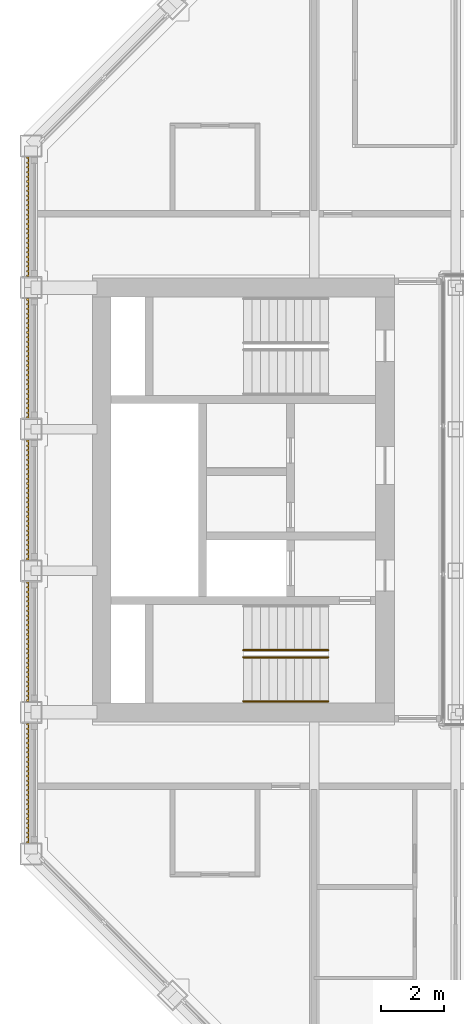
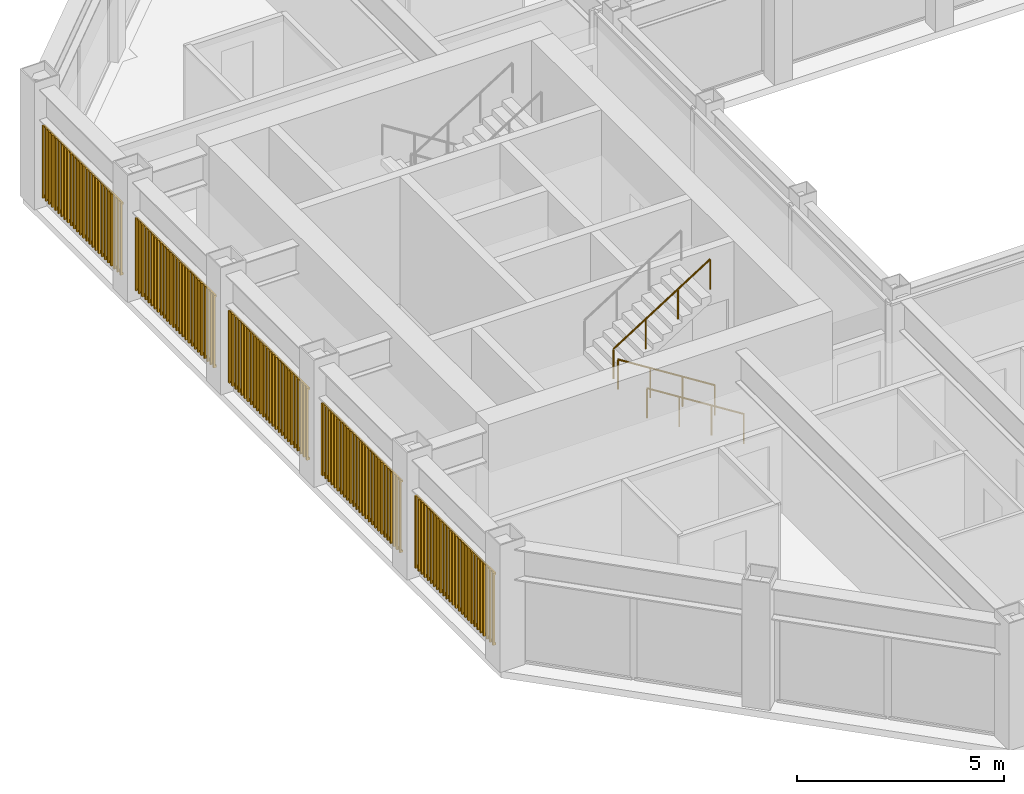
# One storey, part 14 of 17: 3 railings, 1 shading device.
"""IFC4 building model written with IfcOpenShell, lengths in metres."""

from ifc_helpers import new_model, si_unit, direction, frame, origin, origin_2d, place, context, subcontext, project, spatial, rectangle, circle, extrude, material, type_object, element, save


model = new_model("IFC4")

# Units and contexts
model_context = context("Model", 3, precision=1e-05, world=origin(), true_north=direction((0.0, 1.0)))
body_context = subcontext(model_context, "Body", "Model", "MODEL_VIEW")
ifc_project = project(units=[si_unit("LENGTHUNIT", "METRE"), si_unit("AREAUNIT", "SQUARE_METRE"), si_unit("VOLUMEUNIT", "CUBIC_METRE"), si_unit("PLANEANGLEUNIT", "RADIAN"), si_unit("MASSUNIT", "GRAM", prefix="KILO")], contexts=[model_context])

# Site, building, storey
site_placement = place(None, origin())
site = spatial("IfcSite", under=ifc_project, at=site_placement, CompositionType="ELEMENT")
building_placement = place(site_placement, origin())
building = spatial("IfcBuilding", under=site, at=building_placement, Name="Msasa Ring Tower", CompositionType="ELEMENT")
storey_placement = place(building_placement, frame((0.0, 0.0, 253.300048828125)))
storey = spatial("IfcBuildingStorey", under=building, at=storey_placement, Name="L66", CompositionType="ELEMENT", Elevation=253.300048828125)

# Shading device
ifc_material_1 = material(Name="Extruded terracotta on aluminium carriers", Category="masonry")
shading_device_type = type_object("IfcShadingDeviceType", Name="BS1 TERRACOTTA BAGUETTE SCREEN 50x50 AT 150", PredefinedType="USERDEFINED", material=ifc_material_1)
shading_device_placement = place(storey_placement, origin())
element("IfcShadingDevice", 1, at=shading_device_placement, inside=storey, type_object=shading_device_type, Name="Terracotta baguette screen W L66", ObjectType="BAGUETTE", PredefinedType="USERDEFINED", context=body_context, shape_type="SweptSolid", body=[
    extrude(rectangle(XDim=0.06005859375, YDim=0.0400390625, at=origin_2d()), frame((-20.330078125, -10.89990234375, 0.329833984375), z_axis=(0.0, 1.0, 0.0), x_axis=(0.0, 0.0, 1.0)), (0.0, 0.0, 1.0), 3.800048828125),
    extrude(rectangle(XDim=0.06005859375, YDim=0.0400390625, at=origin_2d()), frame((-20.330078125, -10.89990234375, 2.39892578125), z_axis=(0.0, 1.0, 0.0), x_axis=(0.0, 0.0, 1.0)), (0.0, 0.0, 1.0), 3.800048828125),
    extrude(rectangle(XDim=0.050048828125, YDim=0.050048828125, at=origin_2d()), frame((-20.3701171875, -10.875, 0.300048828125), z_axis=(0.0, 0.0, 1.0), x_axis=(0.0, 1.0, 0.0)), (0.0, 0.0, 1.0), 2.12890625),
    extrude(rectangle(XDim=0.050048828125, YDim=0.050048828125, at=origin_2d()), frame((-20.3701171875, -10.72509765625, 0.300048828125), z_axis=(0.0, 0.0, 1.0), x_axis=(0.0, 1.0, 0.0)), (0.0, 0.0, 1.0), 2.12890625),
    extrude(rectangle(XDim=0.050048828125, YDim=0.050048828125, at=origin_2d()), frame((-20.3701171875, -10.574951171875, 0.300048828125), z_axis=(0.0, 0.0, 1.0), x_axis=(0.0, 1.0, 0.0)), (0.0, 0.0, 1.0), 2.12890625),
    extrude(rectangle(XDim=0.050048828125, YDim=0.050048828125, at=origin_2d()), frame((-20.3701171875, -10.425048828125, 0.300048828125), z_axis=(0.0, 0.0, 1.0), x_axis=(0.0, 1.0, 0.0)), (0.0, 0.0, 1.0), 2.12890625),
    extrude(rectangle(XDim=0.050048828125, YDim=0.050048828125, at=origin_2d()), frame((-20.3701171875, -10.27490234375, 0.300048828125), z_axis=(0.0, 0.0, 1.0), x_axis=(0.0, 1.0, 0.0)), (0.0, 0.0, 1.0), 2.12890625),
    extrude(rectangle(XDim=0.050048828125, YDim=0.050048828125, at=origin_2d()), frame((-20.3701171875, -10.125, 0.300048828125), z_axis=(0.0, 0.0, 1.0), x_axis=(0.0, 1.0, 0.0)), (0.0, 0.0, 1.0), 2.12890625),
    extrude(rectangle(XDim=0.050048828125, YDim=0.050048828125, at=origin_2d()), frame((-20.3701171875, -9.97509765625, 0.300048828125), z_axis=(0.0, 0.0, 1.0), x_axis=(0.0, 1.0, 0.0)), (0.0, 0.0, 1.0), 2.12890625),
    extrude(rectangle(XDim=0.050048828125, YDim=0.050048828125, at=origin_2d()), frame((-20.3701171875, -9.824951171875, 0.300048828125), z_axis=(0.0, 0.0, 1.0), x_axis=(0.0, 1.0, 0.0)), (0.0, 0.0, 1.0), 2.12890625),
    extrude(rectangle(XDim=0.050048828125, YDim=0.050048828125, at=origin_2d()), frame((-20.3701171875, -9.675048828125, 0.300048828125), z_axis=(0.0, 0.0, 1.0), x_axis=(0.0, 1.0, 0.0)), (0.0, 0.0, 1.0), 2.12890625),
    extrude(rectangle(XDim=0.050048828125, YDim=0.050048828125, at=origin_2d()), frame((-20.3701171875, -9.52490234375, 0.300048828125), z_axis=(0.0, 0.0, 1.0), x_axis=(0.0, 1.0, 0.0)), (0.0, 0.0, 1.0), 2.12890625),
    extrude(rectangle(XDim=0.050048828125, YDim=0.050048828125, at=origin_2d()), frame((-20.3701171875, -9.375, 0.300048828125), z_axis=(0.0, 0.0, 1.0), x_axis=(0.0, 1.0, 0.0)), (0.0, 0.0, 1.0), 2.12890625),
    extrude(rectangle(XDim=0.050048828125, YDim=0.050048828125, at=origin_2d()), frame((-20.3701171875, -9.22509765625, 0.300048828125), z_axis=(0.0, 0.0, 1.0), x_axis=(0.0, 1.0, 0.0)), (0.0, 0.0, 1.0), 2.12890625),
    extrude(rectangle(XDim=0.050048828125, YDim=0.050048828125, at=origin_2d()), frame((-20.3701171875, -9.074951171875, 0.300048828125), z_axis=(0.0, 0.0, 1.0), x_axis=(0.0, 1.0, 0.0)), (0.0, 0.0, 1.0), 2.12890625),
    extrude(rectangle(XDim=0.050048828125, YDim=0.050048828125, at=origin_2d()), frame((-20.3701171875, -8.925048828125, 0.300048828125), z_axis=(0.0, 0.0, 1.0), x_axis=(0.0, 1.0, 0.0)), (0.0, 0.0, 1.0), 2.12890625),
    extrude(rectangle(XDim=0.050048828125, YDim=0.050048828125, at=origin_2d()), frame((-20.3701171875, -8.77490234375, 0.300048828125), z_axis=(0.0, 0.0, 1.0), x_axis=(0.0, 1.0, 0.0)), (0.0, 0.0, 1.0), 2.12890625),
    extrude(rectangle(XDim=0.050048828125, YDim=0.050048828125, at=origin_2d()), frame((-20.3701171875, -8.625, 0.300048828125), z_axis=(0.0, 0.0, 1.0), x_axis=(0.0, 1.0, 0.0)), (0.0, 0.0, 1.0), 2.12890625),
    extrude(rectangle(XDim=0.050048828125, YDim=0.050048828125, at=origin_2d()), frame((-20.3701171875, -8.47509765625, 0.300048828125), z_axis=(0.0, 0.0, 1.0), x_axis=(0.0, 1.0, 0.0)), (0.0, 0.0, 1.0), 2.12890625),
    extrude(rectangle(XDim=0.050048828125, YDim=0.050048828125, at=origin_2d()), frame((-20.3701171875, -8.324951171875, 0.300048828125), z_axis=(0.0, 0.0, 1.0), x_axis=(0.0, 1.0, 0.0)), (0.0, 0.0, 1.0), 2.12890625),
    extrude(rectangle(XDim=0.050048828125, YDim=0.050048828125, at=origin_2d()), frame((-20.3701171875, -8.175048828125, 0.300048828125), z_axis=(0.0, 0.0, 1.0), x_axis=(0.0, 1.0, 0.0)), (0.0, 0.0, 1.0), 2.12890625),
    extrude(rectangle(XDim=0.050048828125, YDim=0.050048828125, at=origin_2d()), frame((-20.3701171875, -8.02490234375, 0.300048828125), z_axis=(0.0, 0.0, 1.0), x_axis=(0.0, 1.0, 0.0)), (0.0, 0.0, 1.0), 2.12890625),
    extrude(rectangle(XDim=0.050048828125, YDim=0.050048828125, at=origin_2d()), frame((-20.3701171875, -7.875, 0.300048828125), z_axis=(0.0, 0.0, 1.0), x_axis=(0.0, 1.0, 0.0)), (0.0, 0.0, 1.0), 2.12890625),
    extrude(rectangle(XDim=0.050048828125, YDim=0.050048828125, at=origin_2d()), frame((-20.3701171875, -7.72509765625, 0.300048828125), z_axis=(0.0, 0.0, 1.0), x_axis=(0.0, 1.0, 0.0)), (0.0, 0.0, 1.0), 2.12890625),
    extrude(rectangle(XDim=0.050048828125, YDim=0.050048828125, at=origin_2d()), frame((-20.3701171875, -7.574951171875, 0.300048828125), z_axis=(0.0, 0.0, 1.0), x_axis=(0.0, 1.0, 0.0)), (0.0, 0.0, 1.0), 2.12890625),
    extrude(rectangle(XDim=0.050048828125, YDim=0.050048828125, at=origin_2d()), frame((-20.3701171875, -7.425048828125, 0.300048828125), z_axis=(0.0, 0.0, 1.0), x_axis=(0.0, 1.0, 0.0)), (0.0, 0.0, 1.0), 2.12890625),
    extrude(rectangle(XDim=0.050048828125, YDim=0.050048828125, at=origin_2d()), frame((-20.3701171875, -7.27490234375, 0.300048828125), z_axis=(0.0, 0.0, 1.0), x_axis=(0.0, 1.0, 0.0)), (0.0, 0.0, 1.0), 2.12890625),
    extrude(rectangle(XDim=0.050048828125, YDim=0.050048828125, at=origin_2d()), frame((-20.3701171875, -7.125, 0.300048828125), z_axis=(0.0, 0.0, 1.0), x_axis=(0.0, 1.0, 0.0)), (0.0, 0.0, 1.0), 2.12890625),
    extrude(rectangle(XDim=0.06005859375, YDim=0.0400390625, at=origin_2d()), frame((-20.330078125, -6.39990234375, 0.329833984375), z_axis=(0.0, 1.0, 0.0), x_axis=(0.0, 0.0, 1.0)), (0.0, 0.0, 1.0), 3.800048828125),
    extrude(rectangle(XDim=0.06005859375, YDim=0.0400390625, at=origin_2d()), frame((-20.330078125, -6.39990234375, 2.39892578125), z_axis=(0.0, 1.0, 0.0), x_axis=(0.0, 0.0, 1.0)), (0.0, 0.0, 1.0), 3.800048828125),
    extrude(rectangle(XDim=0.050048828125, YDim=0.050048828125, at=origin_2d()), frame((-20.3701171875, -6.375, 0.300048828125), z_axis=(0.0, 0.0, 1.0), x_axis=(0.0, 1.0, 0.0)), (0.0, 0.0, 1.0), 2.12890625),
    extrude(rectangle(XDim=0.050048828125, YDim=0.050048828125, at=origin_2d()), frame((-20.3701171875, -6.22509765625, 0.300048828125), z_axis=(0.0, 0.0, 1.0), x_axis=(0.0, 1.0, 0.0)), (0.0, 0.0, 1.0), 2.12890625),
    extrude(rectangle(XDim=0.050048828125, YDim=0.050048828125, at=origin_2d()), frame((-20.3701171875, -6.074951171875, 0.300048828125), z_axis=(0.0, 0.0, 1.0), x_axis=(0.0, 1.0, 0.0)), (0.0, 0.0, 1.0), 2.12890625),
    extrude(rectangle(XDim=0.050048828125, YDim=0.050048828125, at=origin_2d()), frame((-20.3701171875, -5.925048828125, 0.300048828125), z_axis=(0.0, 0.0, 1.0), x_axis=(0.0, 1.0, 0.0)), (0.0, 0.0, 1.0), 2.12890625),
    extrude(rectangle(XDim=0.050048828125, YDim=0.050048828125, at=origin_2d()), frame((-20.3701171875, -5.77490234375, 0.300048828125), z_axis=(0.0, 0.0, 1.0), x_axis=(0.0, 1.0, 0.0)), (0.0, 0.0, 1.0), 2.12890625),
    extrude(rectangle(XDim=0.050048828125, YDim=0.050048828125, at=origin_2d()), frame((-20.3701171875, -5.625, 0.300048828125), z_axis=(0.0, 0.0, 1.0), x_axis=(0.0, 1.0, 0.0)), (0.0, 0.0, 1.0), 2.12890625),
    extrude(rectangle(XDim=0.050048828125, YDim=0.050048828125, at=origin_2d()), frame((-20.3701171875, -5.47509765625, 0.300048828125), z_axis=(0.0, 0.0, 1.0), x_axis=(0.0, 1.0, 0.0)), (0.0, 0.0, 1.0), 2.12890625),
    extrude(rectangle(XDim=0.050048828125, YDim=0.050048828125, at=origin_2d()), frame((-20.3701171875, -5.324951171875, 0.300048828125), z_axis=(0.0, 0.0, 1.0), x_axis=(0.0, 1.0, 0.0)), (0.0, 0.0, 1.0), 2.12890625),
    extrude(rectangle(XDim=0.050048828125, YDim=0.050048828125, at=origin_2d()), frame((-20.3701171875, -5.175048828125, 0.300048828125), z_axis=(0.0, 0.0, 1.0), x_axis=(0.0, 1.0, 0.0)), (0.0, 0.0, 1.0), 2.12890625),
    extrude(rectangle(XDim=0.050048828125, YDim=0.050048828125, at=origin_2d()), frame((-20.3701171875, -5.02490234375, 0.300048828125), z_axis=(0.0, 0.0, 1.0), x_axis=(0.0, 1.0, 0.0)), (0.0, 0.0, 1.0), 2.12890625),
    extrude(rectangle(XDim=0.050048828125, YDim=0.050048828125, at=origin_2d()), frame((-20.3701171875, -4.875, 0.300048828125), z_axis=(0.0, 0.0, 1.0), x_axis=(0.0, 1.0, 0.0)), (0.0, 0.0, 1.0), 2.12890625),
    extrude(rectangle(XDim=0.050048828125, YDim=0.050048828125, at=origin_2d()), frame((-20.3701171875, -4.72509765625, 0.300048828125), z_axis=(0.0, 0.0, 1.0), x_axis=(0.0, 1.0, 0.0)), (0.0, 0.0, 1.0), 2.12890625),
    extrude(rectangle(XDim=0.050048828125, YDim=0.050048828125, at=origin_2d()), frame((-20.3701171875, -4.574951171875, 0.300048828125), z_axis=(0.0, 0.0, 1.0), x_axis=(0.0, 1.0, 0.0)), (0.0, 0.0, 1.0), 2.12890625),
    extrude(rectangle(XDim=0.050048828125, YDim=0.050048828125, at=origin_2d()), frame((-20.3701171875, -4.425048828125, 0.300048828125), z_axis=(0.0, 0.0, 1.0), x_axis=(0.0, 1.0, 0.0)), (0.0, 0.0, 1.0), 2.12890625),
    extrude(rectangle(XDim=0.050048828125, YDim=0.050048828125, at=origin_2d()), frame((-20.3701171875, -4.27490234375, 0.300048828125), z_axis=(0.0, 0.0, 1.0), x_axis=(0.0, 1.0, 0.0)), (0.0, 0.0, 1.0), 2.12890625),
    extrude(rectangle(XDim=0.050048828125, YDim=0.050048828125, at=origin_2d()), frame((-20.3701171875, -4.125, 0.300048828125), z_axis=(0.0, 0.0, 1.0), x_axis=(0.0, 1.0, 0.0)), (0.0, 0.0, 1.0), 2.12890625),
    extrude(rectangle(XDim=0.050048828125, YDim=0.050048828125, at=origin_2d()), frame((-20.3701171875, -3.97509765625, 0.300048828125), z_axis=(0.0, 0.0, 1.0), x_axis=(0.0, 1.0, 0.0)), (0.0, 0.0, 1.0), 2.12890625),
    extrude(rectangle(XDim=0.050048828125, YDim=0.050048828125, at=origin_2d()), frame((-20.3701171875, -3.824951171875, 0.300048828125), z_axis=(0.0, 0.0, 1.0), x_axis=(0.0, 1.0, 0.0)), (0.0, 0.0, 1.0), 2.12890625),
    extrude(rectangle(XDim=0.050048828125, YDim=0.050048828125, at=origin_2d()), frame((-20.3701171875, -3.675048828125, 0.300048828125), z_axis=(0.0, 0.0, 1.0), x_axis=(0.0, 1.0, 0.0)), (0.0, 0.0, 1.0), 2.12890625),
    extrude(rectangle(XDim=0.050048828125, YDim=0.050048828125, at=origin_2d()), frame((-20.3701171875, -3.52490234375, 0.300048828125), z_axis=(0.0, 0.0, 1.0), x_axis=(0.0, 1.0, 0.0)), (0.0, 0.0, 1.0), 2.12890625),
    extrude(rectangle(XDim=0.050048828125, YDim=0.050048828125, at=origin_2d()), frame((-20.3701171875, -3.375, 0.300048828125), z_axis=(0.0, 0.0, 1.0), x_axis=(0.0, 1.0, 0.0)), (0.0, 0.0, 1.0), 2.12890625),
    extrude(rectangle(XDim=0.050048828125, YDim=0.050048828125, at=origin_2d()), frame((-20.3701171875, -3.22509765625, 0.300048828125), z_axis=(0.0, 0.0, 1.0), x_axis=(0.0, 1.0, 0.0)), (0.0, 0.0, 1.0), 2.12890625),
    extrude(rectangle(XDim=0.050048828125, YDim=0.050048828125, at=origin_2d()), frame((-20.3701171875, -3.074951171875, 0.300048828125), z_axis=(0.0, 0.0, 1.0), x_axis=(0.0, 1.0, 0.0)), (0.0, 0.0, 1.0), 2.12890625),
    extrude(rectangle(XDim=0.050048828125, YDim=0.050048828125, at=origin_2d()), frame((-20.3701171875, -2.925048828125, 0.300048828125), z_axis=(0.0, 0.0, 1.0), x_axis=(0.0, 1.0, 0.0)), (0.0, 0.0, 1.0), 2.12890625),
    extrude(rectangle(XDim=0.050048828125, YDim=0.050048828125, at=origin_2d()), frame((-20.3701171875, -2.77490234375, 0.300048828125), z_axis=(0.0, 0.0, 1.0), x_axis=(0.0, 1.0, 0.0)), (0.0, 0.0, 1.0), 2.12890625),
    extrude(rectangle(XDim=0.050048828125, YDim=0.050048828125, at=origin_2d()), frame((-20.3701171875, -2.625, 0.300048828125), z_axis=(0.0, 0.0, 1.0), x_axis=(0.0, 1.0, 0.0)), (0.0, 0.0, 1.0), 2.12890625),
    extrude(rectangle(XDim=0.06005859375, YDim=0.0400390625, at=origin_2d()), frame((-20.330078125, -1.89990234375, 0.329833984375), z_axis=(0.0, 1.0, 0.0), x_axis=(0.0, 0.0, 1.0)), (0.0, 0.0, 1.0), 3.800048828125),
    extrude(rectangle(XDim=0.06005859375, YDim=0.0400390625, at=origin_2d()), frame((-20.330078125, -1.89990234375, 2.39892578125), z_axis=(0.0, 1.0, 0.0), x_axis=(0.0, 0.0, 1.0)), (0.0, 0.0, 1.0), 3.800048828125),
    extrude(rectangle(XDim=0.050048828125, YDim=0.050048828125, at=origin_2d()), frame((-20.3701171875, -1.875, 0.300048828125), z_axis=(0.0, 0.0, 1.0), x_axis=(0.0, 1.0, 0.0)), (0.0, 0.0, 1.0), 2.12890625),
    extrude(rectangle(XDim=0.050048828125, YDim=0.050048828125, at=origin_2d()), frame((-20.3701171875, -1.72509765625, 0.300048828125), z_axis=(0.0, 0.0, 1.0), x_axis=(0.0, 1.0, 0.0)), (0.0, 0.0, 1.0), 2.12890625),
    extrude(rectangle(XDim=0.050048828125, YDim=0.050048828125, at=origin_2d()), frame((-20.3701171875, -1.574951171875, 0.300048828125), z_axis=(0.0, 0.0, 1.0), x_axis=(0.0, 1.0, 0.0)), (0.0, 0.0, 1.0), 2.12890625),
    extrude(rectangle(XDim=0.050048828125, YDim=0.050048828125, at=origin_2d()), frame((-20.3701171875, -1.425048828125, 0.300048828125), z_axis=(0.0, 0.0, 1.0), x_axis=(0.0, 1.0, 0.0)), (0.0, 0.0, 1.0), 2.12890625),
    extrude(rectangle(XDim=0.050048828125, YDim=0.050048828125, at=origin_2d()), frame((-20.3701171875, -1.27490234375, 0.300048828125), z_axis=(0.0, 0.0, 1.0), x_axis=(0.0, 1.0, 0.0)), (0.0, 0.0, 1.0), 2.12890625),
    extrude(rectangle(XDim=0.050048828125, YDim=0.050048828125, at=origin_2d()), frame((-20.3701171875, -1.125, 0.300048828125), z_axis=(0.0, 0.0, 1.0), x_axis=(0.0, 1.0, 0.0)), (0.0, 0.0, 1.0), 2.12890625),
    extrude(rectangle(XDim=0.050048828125, YDim=0.050048828125, at=origin_2d()), frame((-20.3701171875, -0.97509765625, 0.300048828125), z_axis=(0.0, 0.0, 1.0), x_axis=(0.0, 1.0, 0.0)), (0.0, 0.0, 1.0), 2.12890625),
    extrude(rectangle(XDim=0.050048828125, YDim=0.050048828125, at=origin_2d()), frame((-20.3701171875, -0.824951171875, 0.300048828125), z_axis=(0.0, 0.0, 1.0), x_axis=(0.0, 1.0, 0.0)), (0.0, 0.0, 1.0), 2.12890625),
    extrude(rectangle(XDim=0.050048828125, YDim=0.050048828125, at=origin_2d()), frame((-20.3701171875, -0.675048828125, 0.300048828125), z_axis=(0.0, 0.0, 1.0), x_axis=(0.0, 1.0, 0.0)), (0.0, 0.0, 1.0), 2.12890625),
    extrude(rectangle(XDim=0.050048828125, YDim=0.050048828125, at=origin_2d()), frame((-20.3701171875, -0.52490234375, 0.300048828125), z_axis=(0.0, 0.0, 1.0), x_axis=(0.0, 1.0, 0.0)), (0.0, 0.0, 1.0), 2.12890625),
    extrude(rectangle(XDim=0.050048828125, YDim=0.050048828125, at=origin_2d()), frame((-20.3701171875, -0.375, 0.300048828125), z_axis=(0.0, 0.0, 1.0), x_axis=(0.0, 1.0, 0.0)), (0.0, 0.0, 1.0), 2.12890625),
    extrude(rectangle(XDim=0.050048828125, YDim=0.050048828125, at=origin_2d()), frame((-20.3701171875, -0.22509765625, 0.300048828125), z_axis=(0.0, 0.0, 1.0), x_axis=(0.0, 1.0, 0.0)), (0.0, 0.0, 1.0), 2.12890625),
    extrude(rectangle(XDim=0.050048828125, YDim=0.050048828125, at=origin_2d()), frame((-20.3701171875, -0.074951171875, 0.300048828125), z_axis=(0.0, 0.0, 1.0), x_axis=(0.0, 1.0, 0.0)), (0.0, 0.0, 1.0), 2.12890625),
    extrude(rectangle(XDim=0.050048828125, YDim=0.050048828125, at=origin_2d()), frame((-20.3701171875, 0.074951171875, 0.300048828125), z_axis=(0.0, 0.0, 1.0), x_axis=(0.0, 1.0, 0.0)), (0.0, 0.0, 1.0), 2.12890625),
    extrude(rectangle(XDim=0.050048828125, YDim=0.050048828125, at=origin_2d()), frame((-20.3701171875, 0.22509765625, 0.300048828125), z_axis=(0.0, 0.0, 1.0), x_axis=(0.0, 1.0, 0.0)), (0.0, 0.0, 1.0), 2.12890625),
    extrude(rectangle(XDim=0.050048828125, YDim=0.050048828125, at=origin_2d()), frame((-20.3701171875, 0.375, 0.300048828125), z_axis=(0.0, 0.0, 1.0), x_axis=(0.0, 1.0, 0.0)), (0.0, 0.0, 1.0), 2.12890625),
    extrude(rectangle(XDim=0.050048828125, YDim=0.050048828125, at=origin_2d()), frame((-20.3701171875, 0.52490234375, 0.300048828125), z_axis=(0.0, 0.0, 1.0), x_axis=(0.0, 1.0, 0.0)), (0.0, 0.0, 1.0), 2.12890625),
    extrude(rectangle(XDim=0.050048828125, YDim=0.050048828125, at=origin_2d()), frame((-20.3701171875, 0.675048828125, 0.300048828125), z_axis=(0.0, 0.0, 1.0), x_axis=(0.0, 1.0, 0.0)), (0.0, 0.0, 1.0), 2.12890625),
    extrude(rectangle(XDim=0.050048828125, YDim=0.050048828125, at=origin_2d()), frame((-20.3701171875, 0.824951171875, 0.300048828125), z_axis=(0.0, 0.0, 1.0), x_axis=(0.0, 1.0, 0.0)), (0.0, 0.0, 1.0), 2.12890625),
    extrude(rectangle(XDim=0.050048828125, YDim=0.050048828125, at=origin_2d()), frame((-20.3701171875, 0.97509765625, 0.300048828125), z_axis=(0.0, 0.0, 1.0), x_axis=(0.0, 1.0, 0.0)), (0.0, 0.0, 1.0), 2.12890625),
    extrude(rectangle(XDim=0.050048828125, YDim=0.050048828125, at=origin_2d()), frame((-20.3701171875, 1.125, 0.300048828125), z_axis=(0.0, 0.0, 1.0), x_axis=(0.0, 1.0, 0.0)), (0.0, 0.0, 1.0), 2.12890625),
    extrude(rectangle(XDim=0.050048828125, YDim=0.050048828125, at=origin_2d()), frame((-20.3701171875, 1.27490234375, 0.300048828125), z_axis=(0.0, 0.0, 1.0), x_axis=(0.0, 1.0, 0.0)), (0.0, 0.0, 1.0), 2.12890625),
    extrude(rectangle(XDim=0.050048828125, YDim=0.050048828125, at=origin_2d()), frame((-20.3701171875, 1.425048828125, 0.300048828125), z_axis=(0.0, 0.0, 1.0), x_axis=(0.0, 1.0, 0.0)), (0.0, 0.0, 1.0), 2.12890625),
    extrude(rectangle(XDim=0.050048828125, YDim=0.050048828125, at=origin_2d()), frame((-20.3701171875, 1.574951171875, 0.300048828125), z_axis=(0.0, 0.0, 1.0), x_axis=(0.0, 1.0, 0.0)), (0.0, 0.0, 1.0), 2.12890625),
    extrude(rectangle(XDim=0.050048828125, YDim=0.050048828125, at=origin_2d()), frame((-20.3701171875, 1.72509765625, 0.300048828125), z_axis=(0.0, 0.0, 1.0), x_axis=(0.0, 1.0, 0.0)), (0.0, 0.0, 1.0), 2.12890625),
    extrude(rectangle(XDim=0.050048828125, YDim=0.050048828125, at=origin_2d()), frame((-20.3701171875, 1.875, 0.300048828125), z_axis=(0.0, 0.0, 1.0), x_axis=(0.0, 1.0, 0.0)), (0.0, 0.0, 1.0), 2.12890625),
    extrude(rectangle(XDim=0.06005859375, YDim=0.0400390625, at=origin_2d()), frame((-20.330078125, 2.60009765625, 0.329833984375), z_axis=(0.0, 1.0, 0.0), x_axis=(0.0, 0.0, 1.0)), (0.0, 0.0, 1.0), 3.800048828125),
    extrude(rectangle(XDim=0.06005859375, YDim=0.0400390625, at=origin_2d()), frame((-20.330078125, 2.60009765625, 2.39892578125), z_axis=(0.0, 1.0, 0.0), x_axis=(0.0, 0.0, 1.0)), (0.0, 0.0, 1.0), 3.800048828125),
    extrude(rectangle(XDim=0.050048828125, YDim=0.050048828125, at=origin_2d()), frame((-20.3701171875, 2.625, 0.300048828125), z_axis=(0.0, 0.0, 1.0), x_axis=(0.0, 1.0, 0.0)), (0.0, 0.0, 1.0), 2.12890625),
    extrude(rectangle(XDim=0.050048828125, YDim=0.050048828125, at=origin_2d()), frame((-20.3701171875, 2.77490234375, 0.300048828125), z_axis=(0.0, 0.0, 1.0), x_axis=(0.0, 1.0, 0.0)), (0.0, 0.0, 1.0), 2.12890625),
    extrude(rectangle(XDim=0.050048828125, YDim=0.050048828125, at=origin_2d()), frame((-20.3701171875, 2.925048828125, 0.300048828125), z_axis=(0.0, 0.0, 1.0), x_axis=(0.0, 1.0, 0.0)), (0.0, 0.0, 1.0), 2.12890625),
    extrude(rectangle(XDim=0.050048828125, YDim=0.050048828125, at=origin_2d()), frame((-20.3701171875, 3.074951171875, 0.300048828125), z_axis=(0.0, 0.0, 1.0), x_axis=(0.0, 1.0, 0.0)), (0.0, 0.0, 1.0), 2.12890625),
    extrude(rectangle(XDim=0.050048828125, YDim=0.050048828125, at=origin_2d()), frame((-20.3701171875, 3.22509765625, 0.300048828125), z_axis=(0.0, 0.0, 1.0), x_axis=(0.0, 1.0, 0.0)), (0.0, 0.0, 1.0), 2.12890625),
    extrude(rectangle(XDim=0.050048828125, YDim=0.050048828125, at=origin_2d()), frame((-20.3701171875, 3.375, 0.300048828125), z_axis=(0.0, 0.0, 1.0), x_axis=(0.0, 1.0, 0.0)), (0.0, 0.0, 1.0), 2.12890625),
    extrude(rectangle(XDim=0.050048828125, YDim=0.050048828125, at=origin_2d()), frame((-20.3701171875, 3.52490234375, 0.300048828125), z_axis=(0.0, 0.0, 1.0), x_axis=(0.0, 1.0, 0.0)), (0.0, 0.0, 1.0), 2.12890625),
    extrude(rectangle(XDim=0.050048828125, YDim=0.050048828125, at=origin_2d()), frame((-20.3701171875, 3.675048828125, 0.300048828125), z_axis=(0.0, 0.0, 1.0), x_axis=(0.0, 1.0, 0.0)), (0.0, 0.0, 1.0), 2.12890625),
    extrude(rectangle(XDim=0.050048828125, YDim=0.050048828125, at=origin_2d()), frame((-20.3701171875, 3.824951171875, 0.300048828125), z_axis=(0.0, 0.0, 1.0), x_axis=(0.0, 1.0, 0.0)), (0.0, 0.0, 1.0), 2.12890625),
    extrude(rectangle(XDim=0.050048828125, YDim=0.050048828125, at=origin_2d()), frame((-20.3701171875, 3.97509765625, 0.300048828125), z_axis=(0.0, 0.0, 1.0), x_axis=(0.0, 1.0, 0.0)), (0.0, 0.0, 1.0), 2.12890625),
    extrude(rectangle(XDim=0.050048828125, YDim=0.050048828125, at=origin_2d()), frame((-20.3701171875, 4.125, 0.300048828125), z_axis=(0.0, 0.0, 1.0), x_axis=(0.0, 1.0, 0.0)), (0.0, 0.0, 1.0), 2.12890625),
    extrude(rectangle(XDim=0.050048828125, YDim=0.050048828125, at=origin_2d()), frame((-20.3701171875, 4.27490234375, 0.300048828125), z_axis=(0.0, 0.0, 1.0), x_axis=(0.0, 1.0, 0.0)), (0.0, 0.0, 1.0), 2.12890625),
    extrude(rectangle(XDim=0.050048828125, YDim=0.050048828125, at=origin_2d()), frame((-20.3701171875, 4.425048828125, 0.300048828125), z_axis=(0.0, 0.0, 1.0), x_axis=(0.0, 1.0, 0.0)), (0.0, 0.0, 1.0), 2.12890625),
    extrude(rectangle(XDim=0.050048828125, YDim=0.050048828125, at=origin_2d()), frame((-20.3701171875, 4.574951171875, 0.300048828125), z_axis=(0.0, 0.0, 1.0), x_axis=(0.0, 1.0, 0.0)), (0.0, 0.0, 1.0), 2.12890625),
    extrude(rectangle(XDim=0.050048828125, YDim=0.050048828125, at=origin_2d()), frame((-20.3701171875, 4.72509765625, 0.300048828125), z_axis=(0.0, 0.0, 1.0), x_axis=(0.0, 1.0, 0.0)), (0.0, 0.0, 1.0), 2.12890625),
    extrude(rectangle(XDim=0.050048828125, YDim=0.050048828125, at=origin_2d()), frame((-20.3701171875, 4.875, 0.300048828125), z_axis=(0.0, 0.0, 1.0), x_axis=(0.0, 1.0, 0.0)), (0.0, 0.0, 1.0), 2.12890625),
    extrude(rectangle(XDim=0.050048828125, YDim=0.050048828125, at=origin_2d()), frame((-20.3701171875, 5.02490234375, 0.300048828125), z_axis=(0.0, 0.0, 1.0), x_axis=(0.0, 1.0, 0.0)), (0.0, 0.0, 1.0), 2.12890625),
    extrude(rectangle(XDim=0.050048828125, YDim=0.050048828125, at=origin_2d()), frame((-20.3701171875, 5.175048828125, 0.300048828125), z_axis=(0.0, 0.0, 1.0), x_axis=(0.0, 1.0, 0.0)), (0.0, 0.0, 1.0), 2.12890625),
    extrude(rectangle(XDim=0.050048828125, YDim=0.050048828125, at=origin_2d()), frame((-20.3701171875, 5.324951171875, 0.300048828125), z_axis=(0.0, 0.0, 1.0), x_axis=(0.0, 1.0, 0.0)), (0.0, 0.0, 1.0), 2.12890625),
    extrude(rectangle(XDim=0.050048828125, YDim=0.050048828125, at=origin_2d()), frame((-20.3701171875, 5.47509765625, 0.300048828125), z_axis=(0.0, 0.0, 1.0), x_axis=(0.0, 1.0, 0.0)), (0.0, 0.0, 1.0), 2.12890625),
    extrude(rectangle(XDim=0.050048828125, YDim=0.050048828125, at=origin_2d()), frame((-20.3701171875, 5.625, 0.300048828125), z_axis=(0.0, 0.0, 1.0), x_axis=(0.0, 1.0, 0.0)), (0.0, 0.0, 1.0), 2.12890625),
    extrude(rectangle(XDim=0.050048828125, YDim=0.050048828125, at=origin_2d()), frame((-20.3701171875, 5.77490234375, 0.300048828125), z_axis=(0.0, 0.0, 1.0), x_axis=(0.0, 1.0, 0.0)), (0.0, 0.0, 1.0), 2.12890625),
    extrude(rectangle(XDim=0.050048828125, YDim=0.050048828125, at=origin_2d()), frame((-20.3701171875, 5.925048828125, 0.300048828125), z_axis=(0.0, 0.0, 1.0), x_axis=(0.0, 1.0, 0.0)), (0.0, 0.0, 1.0), 2.12890625),
    extrude(rectangle(XDim=0.050048828125, YDim=0.050048828125, at=origin_2d()), frame((-20.3701171875, 6.074951171875, 0.300048828125), z_axis=(0.0, 0.0, 1.0), x_axis=(0.0, 1.0, 0.0)), (0.0, 0.0, 1.0), 2.12890625),
    extrude(rectangle(XDim=0.050048828125, YDim=0.050048828125, at=origin_2d()), frame((-20.3701171875, 6.22509765625, 0.300048828125), z_axis=(0.0, 0.0, 1.0), x_axis=(0.0, 1.0, 0.0)), (0.0, 0.0, 1.0), 2.12890625),
    extrude(rectangle(XDim=0.050048828125, YDim=0.050048828125, at=origin_2d()), frame((-20.3701171875, 6.375, 0.300048828125), z_axis=(0.0, 0.0, 1.0), x_axis=(0.0, 1.0, 0.0)), (0.0, 0.0, 1.0), 2.12890625),
    extrude(rectangle(XDim=0.06005859375, YDim=0.0400390625, at=origin_2d()), frame((-20.330078125, 7.10009765625, 0.329833984375), z_axis=(0.0, 1.0, 0.0), x_axis=(0.0, 0.0, 1.0)), (0.0, 0.0, 1.0), 3.800048828125),
    extrude(rectangle(XDim=0.06005859375, YDim=0.0400390625, at=origin_2d()), frame((-20.330078125, 7.10009765625, 2.39892578125), z_axis=(0.0, 1.0, 0.0), x_axis=(0.0, 0.0, 1.0)), (0.0, 0.0, 1.0), 3.800048828125),
    extrude(rectangle(XDim=0.050048828125, YDim=0.050048828125, at=origin_2d()), frame((-20.3701171875, 7.125, 0.300048828125), z_axis=(0.0, 0.0, 1.0), x_axis=(0.0, 1.0, 0.0)), (0.0, 0.0, 1.0), 2.12890625),
    extrude(rectangle(XDim=0.050048828125, YDim=0.050048828125, at=origin_2d()), frame((-20.3701171875, 7.27490234375, 0.300048828125), z_axis=(0.0, 0.0, 1.0), x_axis=(0.0, 1.0, 0.0)), (0.0, 0.0, 1.0), 2.12890625),
    extrude(rectangle(XDim=0.050048828125, YDim=0.050048828125, at=origin_2d()), frame((-20.3701171875, 7.425048828125, 0.300048828125), z_axis=(0.0, 0.0, 1.0), x_axis=(0.0, 1.0, 0.0)), (0.0, 0.0, 1.0), 2.12890625),
    extrude(rectangle(XDim=0.050048828125, YDim=0.050048828125, at=origin_2d()), frame((-20.3701171875, 7.574951171875, 0.300048828125), z_axis=(0.0, 0.0, 1.0), x_axis=(0.0, 1.0, 0.0)), (0.0, 0.0, 1.0), 2.12890625),
    extrude(rectangle(XDim=0.050048828125, YDim=0.050048828125, at=origin_2d()), frame((-20.3701171875, 7.72509765625, 0.300048828125), z_axis=(0.0, 0.0, 1.0), x_axis=(0.0, 1.0, 0.0)), (0.0, 0.0, 1.0), 2.12890625),
    extrude(rectangle(XDim=0.050048828125, YDim=0.050048828125, at=origin_2d()), frame((-20.3701171875, 7.875, 0.300048828125), z_axis=(0.0, 0.0, 1.0), x_axis=(0.0, 1.0, 0.0)), (0.0, 0.0, 1.0), 2.12890625),
    extrude(rectangle(XDim=0.050048828125, YDim=0.050048828125, at=origin_2d()), frame((-20.3701171875, 8.02490234375, 0.300048828125), z_axis=(0.0, 0.0, 1.0), x_axis=(0.0, 1.0, 0.0)), (0.0, 0.0, 1.0), 2.12890625),
    extrude(rectangle(XDim=0.050048828125, YDim=0.050048828125, at=origin_2d()), frame((-20.3701171875, 8.175048828125, 0.300048828125), z_axis=(0.0, 0.0, 1.0), x_axis=(0.0, 1.0, 0.0)), (0.0, 0.0, 1.0), 2.12890625),
    extrude(rectangle(XDim=0.050048828125, YDim=0.050048828125, at=origin_2d()), frame((-20.3701171875, 8.324951171875, 0.300048828125), z_axis=(0.0, 0.0, 1.0), x_axis=(0.0, 1.0, 0.0)), (0.0, 0.0, 1.0), 2.12890625),
    extrude(rectangle(XDim=0.050048828125, YDim=0.050048828125, at=origin_2d()), frame((-20.3701171875, 8.47509765625, 0.300048828125), z_axis=(0.0, 0.0, 1.0), x_axis=(0.0, 1.0, 0.0)), (0.0, 0.0, 1.0), 2.12890625),
    extrude(rectangle(XDim=0.050048828125, YDim=0.050048828125, at=origin_2d()), frame((-20.3701171875, 8.625, 0.300048828125), z_axis=(0.0, 0.0, 1.0), x_axis=(0.0, 1.0, 0.0)), (0.0, 0.0, 1.0), 2.12890625),
    extrude(rectangle(XDim=0.050048828125, YDim=0.050048828125, at=origin_2d()), frame((-20.3701171875, 8.77490234375, 0.300048828125), z_axis=(0.0, 0.0, 1.0), x_axis=(0.0, 1.0, 0.0)), (0.0, 0.0, 1.0), 2.12890625),
    extrude(rectangle(XDim=0.050048828125, YDim=0.050048828125, at=origin_2d()), frame((-20.3701171875, 8.925048828125, 0.300048828125), z_axis=(0.0, 0.0, 1.0), x_axis=(0.0, 1.0, 0.0)), (0.0, 0.0, 1.0), 2.12890625),
    extrude(rectangle(XDim=0.050048828125, YDim=0.050048828125, at=origin_2d()), frame((-20.3701171875, 9.074951171875, 0.300048828125), z_axis=(0.0, 0.0, 1.0), x_axis=(0.0, 1.0, 0.0)), (0.0, 0.0, 1.0), 2.12890625),
    extrude(rectangle(XDim=0.050048828125, YDim=0.050048828125, at=origin_2d()), frame((-20.3701171875, 9.22509765625, 0.300048828125), z_axis=(0.0, 0.0, 1.0), x_axis=(0.0, 1.0, 0.0)), (0.0, 0.0, 1.0), 2.12890625),
    extrude(rectangle(XDim=0.050048828125, YDim=0.050048828125, at=origin_2d()), frame((-20.3701171875, 9.375, 0.300048828125), z_axis=(0.0, 0.0, 1.0), x_axis=(0.0, 1.0, 0.0)), (0.0, 0.0, 1.0), 2.12890625),
    extrude(rectangle(XDim=0.050048828125, YDim=0.050048828125, at=origin_2d()), frame((-20.3701171875, 9.52490234375, 0.300048828125), z_axis=(0.0, 0.0, 1.0), x_axis=(0.0, 1.0, 0.0)), (0.0, 0.0, 1.0), 2.12890625),
    extrude(rectangle(XDim=0.050048828125, YDim=0.050048828125, at=origin_2d()), frame((-20.3701171875, 9.675048828125, 0.300048828125), z_axis=(0.0, 0.0, 1.0), x_axis=(0.0, 1.0, 0.0)), (0.0, 0.0, 1.0), 2.12890625),
    extrude(rectangle(XDim=0.050048828125, YDim=0.050048828125, at=origin_2d()), frame((-20.3701171875, 9.824951171875, 0.300048828125), z_axis=(0.0, 0.0, 1.0), x_axis=(0.0, 1.0, 0.0)), (0.0, 0.0, 1.0), 2.12890625),
    extrude(rectangle(XDim=0.050048828125, YDim=0.050048828125, at=origin_2d()), frame((-20.3701171875, 9.97509765625, 0.300048828125), z_axis=(0.0, 0.0, 1.0), x_axis=(0.0, 1.0, 0.0)), (0.0, 0.0, 1.0), 2.12890625),
    extrude(rectangle(XDim=0.050048828125, YDim=0.050048828125, at=origin_2d()), frame((-20.3701171875, 10.125, 0.300048828125), z_axis=(0.0, 0.0, 1.0), x_axis=(0.0, 1.0, 0.0)), (0.0, 0.0, 1.0), 2.12890625),
    extrude(rectangle(XDim=0.050048828125, YDim=0.050048828125, at=origin_2d()), frame((-20.3701171875, 10.27490234375, 0.300048828125), z_axis=(0.0, 0.0, 1.0), x_axis=(0.0, 1.0, 0.0)), (0.0, 0.0, 1.0), 2.12890625),
    extrude(rectangle(XDim=0.050048828125, YDim=0.050048828125, at=origin_2d()), frame((-20.3701171875, 10.425048828125, 0.300048828125), z_axis=(0.0, 0.0, 1.0), x_axis=(0.0, 1.0, 0.0)), (0.0, 0.0, 1.0), 2.12890625),
    extrude(rectangle(XDim=0.050048828125, YDim=0.050048828125, at=origin_2d()), frame((-20.3701171875, 10.574951171875, 0.300048828125), z_axis=(0.0, 0.0, 1.0), x_axis=(0.0, 1.0, 0.0)), (0.0, 0.0, 1.0), 2.12890625),
    extrude(rectangle(XDim=0.050048828125, YDim=0.050048828125, at=origin_2d()), frame((-20.3701171875, 10.72509765625, 0.300048828125), z_axis=(0.0, 0.0, 1.0), x_axis=(0.0, 1.0, 0.0)), (0.0, 0.0, 1.0), 2.12890625),
    extrude(rectangle(XDim=0.050048828125, YDim=0.050048828125, at=origin_2d()), frame((-20.3701171875, 10.875, 0.300048828125), z_axis=(0.0, 0.0, 1.0), x_axis=(0.0, 1.0, 0.0)), (0.0, 0.0, 1.0), 2.12890625),
])

# Railings
ifc_material_2 = material(Name="Stainless steel", Category="steel")
railing_type = type_object("IfcRailingType", Name="HR1 HANDRAIL 900", PredefinedType="HANDRAIL", material=ifc_material_2)
for number, where, name in (
    (2, (-10.800048828125, -6.39990234375, 0.17041015625), "Handrail stair SWA L66 1"),
    (3, (-10.800048828125, -5.0, 0.17041015625), "Handrail stair SWA L66 2"),
):
    element("IfcRailing", number, at=place(storey_placement, frame(where)), inside=storey, type_object=railing_type, Name=name, PredefinedType="HANDRAIL", context=body_context, shape_type="SweptSolid", body=[
        extrude(circle(Radius=0.02392578125, at=origin_2d()), frame((0.0, 0.0, 0.8759765625), z_axis=(-0.845579735284, 0.0, 0.533849146555), x_axis=(0.0, -1.0, 0.0)), (0.0, 0.0, 1.0), 3.193115234375),
        extrude(circle(Radius=0.02099609375, at=origin_2d()), origin(), (0.0, 0.0, 1.0), 0.851806640625),
        extrude(circle(Radius=0.02099609375, at=origin_2d()), frame((-0.89990234375, 0.0, 0.568115234375)), (0.0, 0.0, 1.0), 0.851806640625),
        extrude(circle(Radius=0.02099609375, at=origin_2d()), frame((-1.800048828125, 0.0, 1.136474609375)), (0.0, 0.0, 1.0), 0.851806640625),
        extrude(circle(Radius=0.02099609375, at=origin_2d()), frame((-2.699951171875, 0.0, 1.70458984375)), (0.0, 0.0, 1.0), 0.851806640625),
    ])
railing_placement = place(storey_placement, frame((-13.5, -4.77490234375, 2.04541015625)))
element("IfcRailing", 4, at=railing_placement, inside=storey, type_object=railing_type, Name="Handrail stair SWA L66 3", PredefinedType="HANDRAIL", context=body_context, shape_type="SweptSolid", body=[
    extrude(circle(Radius=0.02392578125, at=origin_2d()), frame((0.0, 0.0, 0.8759765625), z_axis=(0.845579735284, 0.0, 0.533849146555), x_axis=(0.0, 1.0, 0.0)), (0.0, 0.0, 1.0), 3.193115234375),
    extrude(circle(Radius=0.02099609375, at=origin_2d()), origin(), (0.0, 0.0, 1.0), 0.851806640625),
    extrude(circle(Radius=0.02099609375, at=origin_2d()), frame((0.89990234375, 0.0, 0.568115234375)), (0.0, 0.0, 1.0), 0.851806640625),
    extrude(circle(Radius=0.02099609375, at=origin_2d()), frame((1.800048828125, 0.0, 1.136474609375)), (0.0, 0.0, 1.0), 0.851806640625),
    extrude(circle(Radius=0.02099609375, at=origin_2d()), frame((2.699951171875, 0.0, 1.70458984375)), (0.0, 0.0, 1.0), 0.851806640625),
])

save(model, "model.ifc")
